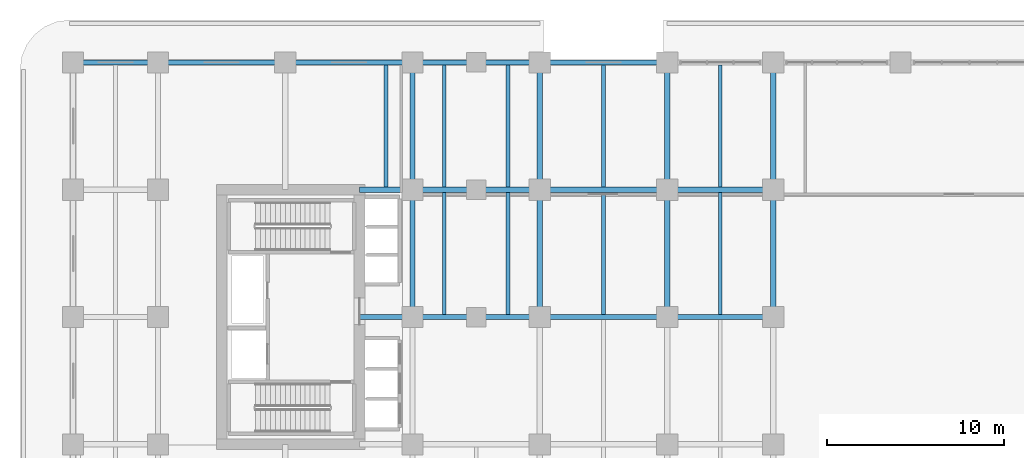
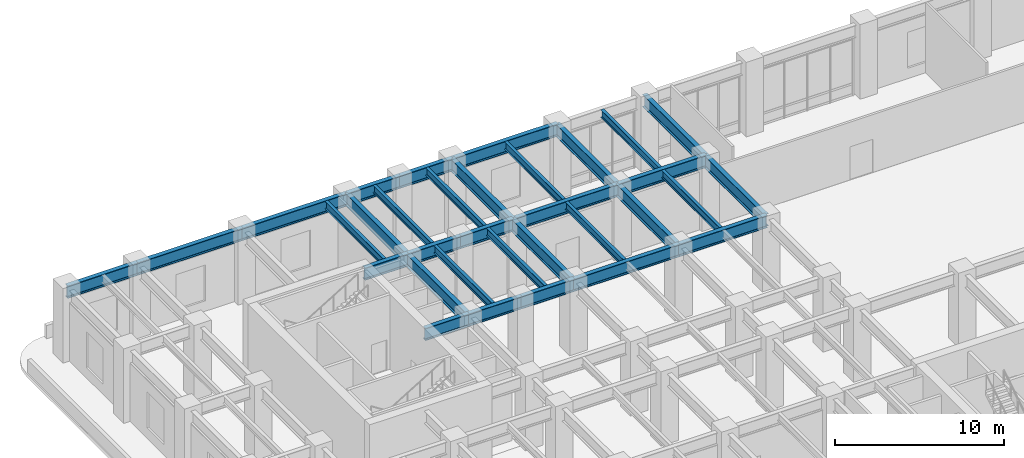
# One storey, part 2 of 20: 33 beams.
"""IFC4 building model written with IfcOpenShell, lengths in metres."""

from ifc_helpers import new_model, si_unit, derived_unit, direction, frame, origin, origin_2d, place, context, subcontext, project, spatial, i_section, extrude, source, transform, mapped, material, material_profile, profile_set, type_object, type_shapes, element, save


model = new_model("IFC4")

# Units and contexts
model_context = context("Model", 3, precision=1e-05, world=origin(), true_north=direction((0.0, 1.0)))
body_context = subcontext(model_context, "Body", "Model", "MODEL_VIEW")
ifc_project = project(units=[si_unit("LENGTHUNIT", "METRE"), si_unit("AREAUNIT", "SQUARE_METRE"), si_unit("VOLUMEUNIT", "CUBIC_METRE"), si_unit("PLANEANGLEUNIT", "RADIAN"), si_unit("MASSUNIT", "GRAM", prefix="KILO"), si_unit("THERMODYNAMICTEMPERATUREUNIT", "KELVIN"), si_unit("POWERUNIT", "WATT"), derived_unit("THERMALTRANSMITTANCEUNIT", [(si_unit("POWERUNIT", "WATT"), 1), (si_unit("AREAUNIT", "SQUARE_METRE"), -1), (si_unit("THERMODYNAMICTEMPERATUREUNIT", "KELVIN"), -1)])], contexts=[model_context])

# Site, building, storey
site_placement = place(None, origin())
site = spatial("IfcSite", under=ifc_project, at=site_placement, CompositionType="ELEMENT")
building_placement = place(site_placement, origin())
building = spatial("IfcBuilding", under=site, at=building_placement, Name="Zahravan Archway Hotel and Residences", CompositionType="ELEMENT")
storey_placement = place(building_placement, frame((0.0, 0.0, 16.199951171875)))
storey = spatial("IfcBuildingStorey", under=building, at=storey_placement, Name="L03", CompositionType="ELEMENT", Elevation=16.199951171875)

# Beams
ifc_material_1 = material(Name="Structural Steel S355J2", Category="steel")
ifc_material_profile_1 = material_profile(ifc_material_1, i_section(OverallWidth=0.300048828125, OverallDepth=0.89990234375, WebThickness=0.0185546875, FlangeThickness=0.034912109375, FilletRadius=0.030029296875, at=origin_2d()), Name="HEB 900", Category="steel")
ifc_profile_set_1 = profile_set([ifc_material_profile_1], Name="Structural Steel S355J2")
beam_type_1 = type_object("IfcBeamType", Name="BM-PRI-HEB900", PredefinedType="BEAM", material=ifc_profile_set_1)
shared_shape_1 = source(origin(), body_context, "Body", "SweptSolid", [
    extrude(i_section(OverallWidth=0.300048828125, OverallDepth=0.89990234375, WebThickness=0.0185546875, FlangeThickness=0.034912109375, FilletRadius=0.030029296875, at=origin_2d()), origin(), (0.0, 0.0, 1.0), 4.800048828125),
])
type_shapes(beam_type_1, [shared_shape_1])
beam_placement = place(storey_placement, frame((-4.800048828125, 46.800048828125, 4.650146484375), z_axis=(1.0, 0.0, 0.0), x_axis=(0.0, 1.0, 0.0)))
element("IfcBeam", 1, at=beam_placement, inside=storey, type_object=beam_type_1, Name="L03 Primary Girder EW-58", PredefinedType="BEAM", context=body_context, shape_type="MappedRepresentation", body=[
    mapped(shared_shape_1, transform((0.0, 0.0, 0.0), scale=1.0)),
])
shared_shape_2 = source(origin(), body_context, "Body", "SweptSolid", [
    extrude(i_section(OverallWidth=0.300048828125, OverallDepth=0.89990234375, WebThickness=0.0185546875, FlangeThickness=0.034912109375, FilletRadius=0.030029296875, at=origin_2d()), origin(), (0.0, 0.0, 1.0), 7.199951171875),
])
for number, where, z_axis, x_axis, name in (
    (2, (21.60009765625, 32.39990234375, 4.650146484375), (1.0, 0.0, 0.0), (0.0, 1.0, 0.0), "L03 Primary Girder EW-50"),
    (3, (21.60009765625, 39.60009765625, 4.650146484375), (1.0, 0.0, 0.0), (0.0, 1.0, 0.0), "L03 Primary Girder EW-56"),
    (4, (0.0, 46.800048828125, 4.650146484375), (1.0, 0.0, 0.0), (0.0, 1.0, 0.0), "L03 Primary Girder EW-59"),
    (5, (7.199951171875, 46.800048828125, 4.650146484375), (1.0, 0.0, 0.0), (0.0, 1.0, 0.0), "L03 Primary Girder EW-60"),
    (6, (21.60009765625, 46.800048828125, 4.650146484375), (1.0, 0.0, 0.0), (0.0, 1.0, 0.0), "L03 Primary Girder EW-63"),
    (7, (14.39990234375, 39.60009765625, 4.650146484375), (0.0, 1.0, 0.0), (-1.0, 0.0, 0.0), "L03 Primary Girder NS-95"),
    (8, (21.60009765625, 39.60009765625, 4.650146484375), (0.0, 1.0, 0.0), (-1.0, 0.0, 0.0), "L03 Primary Girder NS-102"),
    (9, (28.800048828125, 39.60009765625, 4.650146484375), (0.0, 1.0, 0.0), (-1.0, 0.0, 0.0), "L03 Primary Girder NS-109"),
    (10, (34.800048828125, 39.60009765625, 4.650146484375), (0.0, 1.0, 0.0), (-1.0, 0.0, 0.0), "L03 Primary Girder NS-114"),
):
    element("IfcBeam", number, at=place(storey_placement, frame(where, z_axis=z_axis, x_axis=x_axis)), inside=storey, type_object=beam_type_1, Name=name, PredefinedType="BEAM", context=body_context, shape_type="MappedRepresentation", body=[
        mapped(shared_shape_2, transform((0.0, 0.0, 0.0), scale=1.0)),
    ])
shared_shape_3 = source(origin(), body_context, "Body", "SweptSolid", [
    extrude(i_section(OverallWidth=0.300048828125, OverallDepth=0.89990234375, WebThickness=0.0185546875, FlangeThickness=0.034912109375, FilletRadius=0.030029296875, at=origin_2d()), origin(), (0.0, 0.0, 1.0), 7.2001953125),
])
for number, where, z_axis, x_axis, name in (
    (11, (14.39990234375, 32.39990234375, 4.650146484375), (0.0, 1.0, 0.0), (-1.0, 0.0, 0.0), "L03 Primary Girder NS-94"),
    (12, (21.60009765625, 32.39990234375, 4.650146484375), (0.0, 1.0, 0.0), (-1.0, 0.0, 0.0), "L03 Primary Girder NS-101"),
    (13, (28.800048828125, 32.39990234375, 4.650146484375), (0.0, 1.0, 0.0), (-1.0, 0.0, 0.0), "L03 Primary Girder NS-108"),
    (14, (34.800048828125, 32.39990234375, 4.650146484375), (0.0, 1.0, 0.0), (-1.0, 0.0, 0.0), "L03 Primary Girder NS-113"),
):
    element("IfcBeam", number, at=place(storey_placement, frame(where, z_axis=z_axis, x_axis=x_axis)), inside=storey, type_object=beam_type_1, Name=name, PredefinedType="BEAM", context=body_context, shape_type="MappedRepresentation", body=[
        mapped(shared_shape_3, transform((0.0, 0.0, 0.0), scale=1.0)),
    ])
shared_shape_4 = source(origin(), body_context, "Body", "SweptSolid", [
    extrude(i_section(OverallWidth=0.300048828125, OverallDepth=0.89990234375, WebThickness=0.0185546875, FlangeThickness=0.034912109375, FilletRadius=0.030029296875, at=origin_2d()), origin(), (0.0, 0.0, 1.0), 6.0),
])
for number, where, z_axis, x_axis, name in (
    (15, (28.800048828125, 32.39990234375, 4.650146484375), (1.0, 0.0, 0.0), (0.0, 1.0, 0.0), "L03 Primary Girder EW-51"),
    (16, (28.800048828125, 39.60009765625, 4.650146484375), (1.0, 0.0, 0.0), (0.0, 1.0, 0.0), "L03 Primary Girder EW-57"),
):
    element("IfcBeam", number, at=place(storey_placement, frame(where, z_axis=z_axis, x_axis=x_axis)), inside=storey, type_object=beam_type_1, Name=name, PredefinedType="BEAM", context=body_context, shape_type="MappedRepresentation", body=[
        mapped(shared_shape_4, transform((0.0, 0.0, 0.0), scale=1.0)),
    ])
shared_shape_5 = source(origin(), body_context, "Body", "SweptSolid", [
    extrude(i_section(OverallWidth=0.300048828125, OverallDepth=0.89990234375, WebThickness=0.0185546875, FlangeThickness=0.034912109375, FilletRadius=0.030029296875, at=origin_2d()), origin(), (0.0, 0.0, 1.0), 3.0),
])
for number, where, z_axis, x_axis, name in (
    (17, (11.39990234375, 32.39990234375, 4.650146484375), (1.0, 0.0, 0.0), (0.0, 1.0, 0.0), "L03 Primary Girder EW-47"),
    (18, (11.39990234375, 39.60009765625, 4.650146484375), (1.0, 0.0, 0.0), (0.0, 1.0, 0.0), "L03 Primary Girder EW-53"),
):
    element("IfcBeam", number, at=place(storey_placement, frame(where, z_axis=z_axis, x_axis=x_axis)), inside=storey, type_object=beam_type_1, Name=name, PredefinedType="BEAM", context=body_context, shape_type="MappedRepresentation", body=[
        mapped(shared_shape_5, transform((0.0, 0.0, 0.0), scale=1.0)),
    ])
shared_shape_6 = source(origin(), body_context, "Body", "SweptSolid", [
    extrude(i_section(OverallWidth=0.300048828125, OverallDepth=0.89990234375, WebThickness=0.0185546875, FlangeThickness=0.034912109375, FilletRadius=0.030029296875, at=origin_2d()), origin(), (0.0, 0.0, 1.0), 3.60009765625),
])
for number, where, z_axis, x_axis, name in (
    (19, (14.39990234375, 32.39990234375, 4.650146484375), (1.0, 0.0, 0.0), (0.0, 1.0, 0.0), "L03 Primary Girder EW-48"),
    (20, (18.0, 32.39990234375, 4.650146484375), (1.0, 0.0, 0.0), (0.0, 1.0, 0.0), "L03 Primary Girder EW-49"),
    (21, (14.39990234375, 39.60009765625, 4.650146484375), (1.0, 0.0, 0.0), (0.0, 1.0, 0.0), "L03 Primary Girder EW-54"),
    (22, (18.0, 39.60009765625, 4.650146484375), (1.0, 0.0, 0.0), (0.0, 1.0, 0.0), "L03 Primary Girder EW-55"),
    (23, (14.39990234375, 46.800048828125, 4.650146484375), (1.0, 0.0, 0.0), (0.0, 1.0, 0.0), "L03 Primary Girder EW-61"),
    (24, (18.0, 46.800048828125, 4.650146484375), (1.0, 0.0, 0.0), (0.0, 1.0, 0.0), "L03 Primary Girder EW-62"),
):
    element("IfcBeam", number, at=place(storey_placement, frame(where, z_axis=z_axis, x_axis=x_axis)), inside=storey, type_object=beam_type_1, Name=name, PredefinedType="BEAM", context=body_context, shape_type="MappedRepresentation", body=[
        mapped(shared_shape_6, transform((0.0, 0.0, 0.0), scale=1.0)),
    ])
ifc_material_2 = material(Name="Structural Steel S355JR", Category="steel")
ifc_material_profile_2 = material_profile(ifc_material_2, i_section(OverallWidth=0.2099609375, OverallDepth=0.550048828125, WebThickness=0.010986328125, FlangeThickness=0.01708984375, FilletRadius=0.02392578125, at=origin_2d()), Name="IPE 550", Category="steel")
ifc_profile_set_2 = profile_set([ifc_material_profile_2], Name="Structural Steel S355JR")
beam_type_2 = type_object("IfcBeamType", Name="BM-JST-IPE550", PredefinedType="JOIST", material=ifc_profile_set_2)
shared_shape_7 = source(origin(), body_context, "Body", "SweptSolid", [
    extrude(i_section(OverallWidth=0.2099609375, OverallDepth=0.550048828125, WebThickness=0.010986328125, FlangeThickness=0.01708984375, FilletRadius=0.02392578125, at=origin_2d()), origin(), (0.0, 0.0, 1.0), 6.904052734375),
])
type_shapes(beam_type_2, [shared_shape_7])
for number, where, z_axis, x_axis, name in (
    (25, (12.89990234375, 39.748046875, 4.824951171875), (0.0, 1.0, 0.0), (-1.0, 0.0, 0.0), "L03 Composite Floor Joist 41"),
    (26, (16.199951171875, 39.748046875, 4.824951171875), (0.0, 1.0, 0.0), (-1.0, 0.0, 0.0), "L03 Composite Floor Joist 42"),
    (27, (19.800048828125, 39.748046875, 4.824951171875), (0.0, 1.0, 0.0), (-1.0, 0.0, 0.0), "L03 Composite Floor Joist 43"),
    (28, (25.199951171875, 39.748046875, 4.824951171875), (0.0, 1.0, 0.0), (-1.0, 0.0, 0.0), "L03 Composite Floor Joist 44"),
    (29, (31.800048828125, 39.748046875, 4.824951171875), (0.0, 1.0, 0.0), (-1.0, 0.0, 0.0), "L03 Composite Floor Joist 45"),
):
    element("IfcBeam", number, at=place(storey_placement, frame(where, z_axis=z_axis, x_axis=x_axis)), inside=storey, type_object=beam_type_2, Name=name, PredefinedType="JOIST", context=body_context, shape_type="MappedRepresentation", body=[
        mapped(shared_shape_7, transform((0.0, 0.0, 0.0), scale=1.0)),
    ])
shared_shape_8 = source(origin(), body_context, "Body", "SweptSolid", [
    extrude(i_section(OverallWidth=0.2099609375, OverallDepth=0.550048828125, WebThickness=0.010986328125, FlangeThickness=0.01708984375, FilletRadius=0.02392578125, at=origin_2d()), origin(), (0.0, 0.0, 1.0), 6.90380859375),
])
for number, where, z_axis, x_axis, name in (
    (30, (16.199951171875, 32.548095703125, 4.824951171875), (0.0, 1.0, 0.0), (-1.0, 0.0, 0.0), "L03 Composite Floor Joist 36"),
    (31, (19.800048828125, 32.548095703125, 4.824951171875), (0.0, 1.0, 0.0), (-1.0, 0.0, 0.0), "L03 Composite Floor Joist 37"),
    (32, (25.199951171875, 32.548095703125, 4.824951171875), (0.0, 1.0, 0.0), (-1.0, 0.0, 0.0), "L03 Composite Floor Joist 38"),
    (33, (31.800048828125, 32.548095703125, 4.824951171875), (0.0, 1.0, 0.0), (-1.0, 0.0, 0.0), "L03 Composite Floor Joist 39"),
):
    element("IfcBeam", number, at=place(storey_placement, frame(where, z_axis=z_axis, x_axis=x_axis)), inside=storey, type_object=beam_type_2, Name=name, PredefinedType="JOIST", context=body_context, shape_type="MappedRepresentation", body=[
        mapped(shared_shape_8, transform((0.0, 0.0, 0.0), scale=1.0)),
    ])

save(model, "model.ifc")
